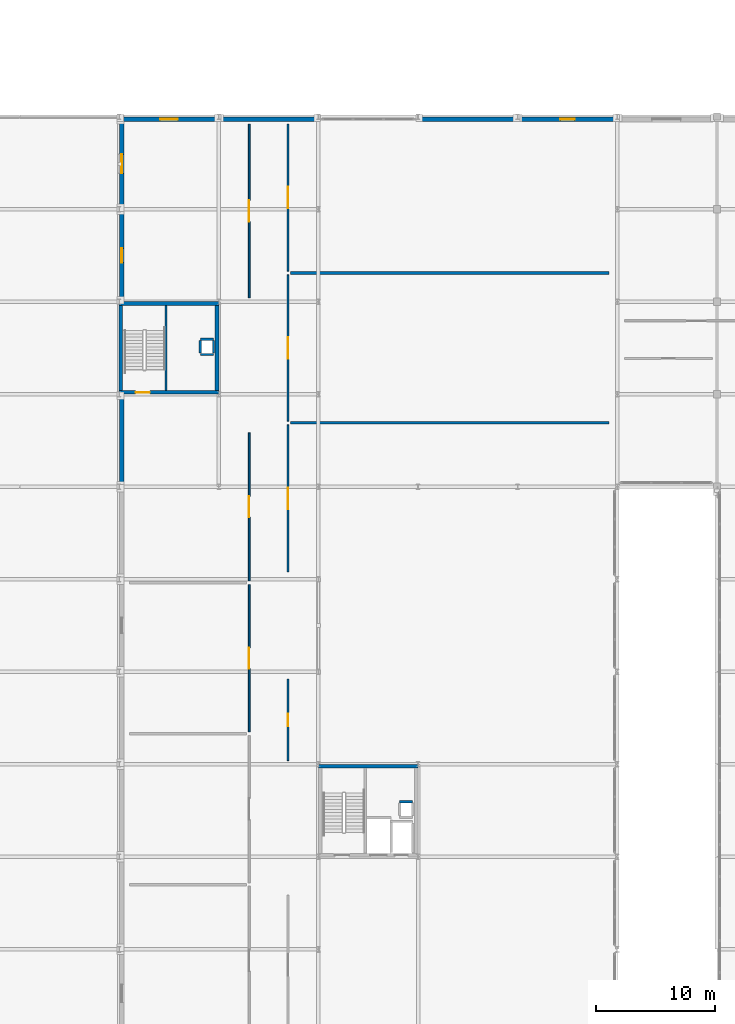
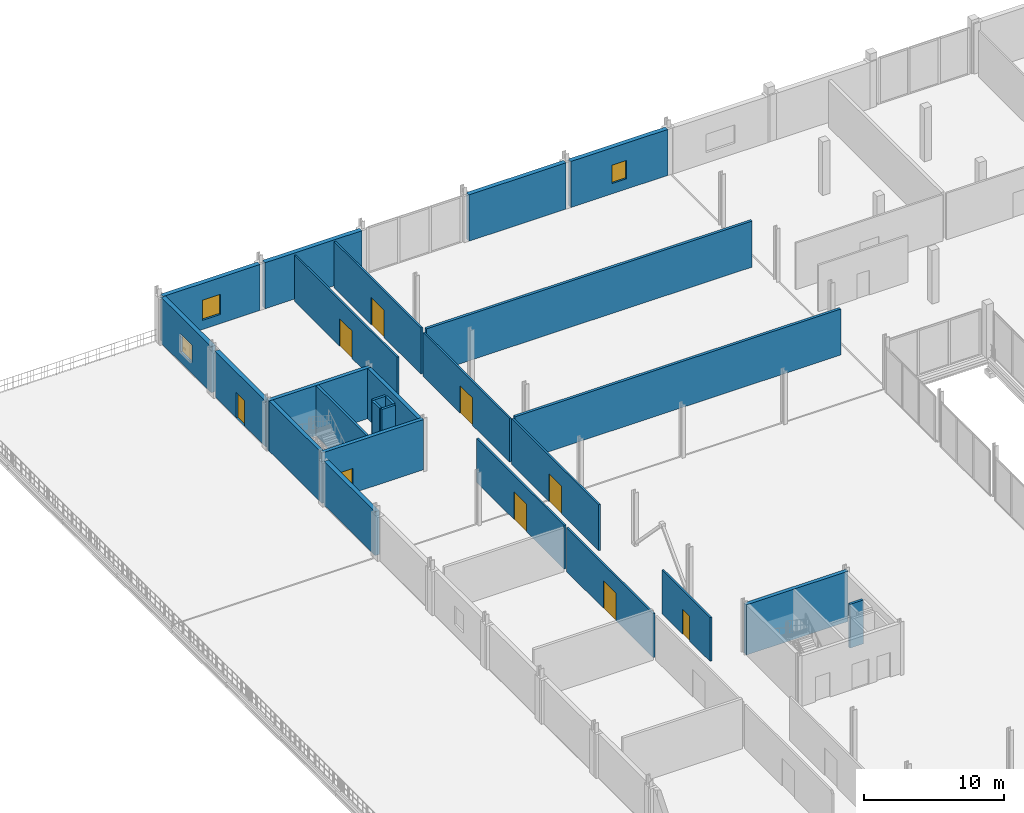
# One storey, part 70 of 98: 27 walls, 9 doors, 3 windows, 12 openings.
"""IFC4 building model written with IfcOpenShell, lengths in metres."""

from ifc_helpers import new_model, si_unit, direction, frame, frame_2d, origin, place, context, subcontext, project, spatial, rectangle, extrude, material, layer, layer_set, type_object, element, fill, save


model = new_model("IFC4")

# Units and contexts
model_context = context("Model", 3, precision=1e-05, world=origin(), true_north=direction((0.0, 1.0)))
body_context = subcontext(model_context, "Body", "Model", "MODEL_VIEW")
ifc_project = project(units=[si_unit("LENGTHUNIT", "METRE"), si_unit("AREAUNIT", "SQUARE_METRE"), si_unit("VOLUMEUNIT", "CUBIC_METRE"), si_unit("PLANEANGLEUNIT", "RADIAN"), si_unit("MASSUNIT", "GRAM", prefix="KILO")], contexts=[model_context])

# Site, building, storey
site_placement = place(None, origin())
site = spatial("IfcSite", under=ifc_project, at=site_placement, CompositionType="ELEMENT")
building_placement = place(site_placement, origin())
building = spatial("IfcBuilding", under=site, at=building_placement, Name="Nabrawat Pavilion Hospital", CompositionType="ELEMENT")
storey_placement = place(building_placement, frame((0.0, 0.0, 10.199951171875)))
storey = spatial("IfcBuildingStorey", under=building, at=storey_placement, Name="L02", CompositionType="ELEMENT", Elevation=10.199951171875)

# Wall, opening, door
ifc_material_1 = material(Name="Gypsum Fireboard on Steel Stud", Category="steel")
ifc_layer_1 = layer(ifc_material_1, 0.14990234375, Name="Gypsum Fireboard on Steel Stud")
ifc_layer_set_1 = layer_set([ifc_layer_1], Name="Gypsum Fireboard on Steel Stud")
wall_type_1 = type_object("IfcWallType", Name="Clinical Corridor Smoke-Barrier Wall 150", PredefinedType="PARTITIONING", material=ifc_layer_set_1)
wall_1_placement = place(storey_placement, frame((27.760009765625, 65.14501953125, 0.0), z_axis=(0.0, 0.0, 1.0), x_axis=(0.0, 1.0, 0.0)))
wall_1 = element("IfcWall", 1, at=wall_1_placement, inside=storey, type_object=wall_type_1, Name="L02 Operating Theatre 9 ENT Head and Neck L02-03 Front Partition", PredefinedType="PARTITIONING", context=body_context, shape_type="SweptSolid", body=[
    extrude(rectangle(XDim=12.402587890625, YDim=0.14990234375, at=frame_2d((6.201171875, 0.0))), origin(), (0.0, 0.0, 1.0), 3.820068359375),
])
opening_1_placement = place(wall_1_placement, frame((5.30126953125, 0.0, 0.0)))
opening_1 = element("IfcOpeningElement", 2, at=opening_1_placement, cuts=wall_1, Name="Opening D-OR", PredefinedType="OPENING", context=body_context, shape_type="SweptSolid", body=[
    extrude(rectangle(XDim=1.800048828125, YDim=2.39990234375, at=frame_2d((0.89990234375, 1.199951171875))), frame((0.0, 0.0849609375, 0.0), z_axis=(0.0, -1.0, 0.0), x_axis=(1.0, 0.0, 0.0)), (0.0, 0.0, 1.0), 0.169921875),
])
ifc_material_2 = material(Name="Stainless-Clad Acoustic Timber and Vision Glass", Category="wood")
door_type_1 = type_object("IfcDoorType", Name="D-OR Hermetic Operating Theatre Automatic Door 1800x2400", OperationType="DOUBLE_DOOR_SLIDING", PredefinedType="DOOR", material=ifc_material_2)
door_1_placement = place(opening_1_placement, origin())
door_1 = element("IfcDoor", 3, at=door_1_placement, inside=storey, type_object=door_type_1, Name="Operating Theatre 9 ENT Head and Neck L02-03 Door", OperationType="DOUBLE_DOOR_SLIDING", OverallHeight=2.39990234375, OverallWidth=1.800048828125, PredefinedType="DOOR", context=body_context, shape_type="SweptSolid", body=[
    extrude(rectangle(XDim=1.800048828125, YDim=2.39990234375, at=frame_2d((0.89990234375, 1.199951171875))), frame((0.0, 0.02490234375, 0.0), z_axis=(0.0, -1.0, 0.0), x_axis=(1.0, 0.0, 0.0)), (0.0, 0.0, 1.0), 0.050048828125),
])
fill(opening_1, door_1)

wall_2_placement = place(storey_placement, frame((27.760009765625, 77.867431640625, 0.0), z_axis=(0.0, 0.0, 1.0), x_axis=(0.0, 1.0, 0.0)))
wall_2 = element("IfcWall", 4, at=wall_2_placement, inside=storey, type_object=wall_type_1, Name="L02 Operating Theatre 10 Thoracic L02-04 Front Partition", PredefinedType="PARTITIONING", context=body_context, shape_type="SweptSolid", body=[
    extrude(rectangle(XDim=12.482666015625, YDim=0.14990234375, at=frame_2d((6.2412109375, 0.0))), origin(), (0.0, 0.0, 1.0), 3.820068359375),
])
opening_2_placement = place(wall_2_placement, frame((5.34130859375, 0.0, 0.0)))
opening_2 = element("IfcOpeningElement", 5, at=opening_2_placement, cuts=wall_2, Name="Opening D-OR", PredefinedType="OPENING", context=body_context, shape_type="SweptSolid", body=[
    extrude(rectangle(XDim=1.800048828125, YDim=2.39990234375, at=frame_2d((0.89990234375, 1.199951171875))), frame((0.0, 0.0849609375, 0.0), z_axis=(0.0, -1.0, 0.0), x_axis=(1.0, 0.0, 0.0)), (0.0, 0.0, 1.0), 0.169921875),
])
door_2_placement = place(opening_2_placement, origin())
door_2 = element("IfcDoor", 6, at=door_2_placement, inside=storey, type_object=door_type_1, Name="Operating Theatre 10 Thoracic L02-04 Door", OperationType="DOUBLE_DOOR_SLIDING", OverallHeight=2.39990234375, OverallWidth=1.800048828125, PredefinedType="DOOR", context=body_context, shape_type="SweptSolid", body=[
    extrude(rectangle(XDim=1.800048828125, YDim=2.39990234375, at=frame_2d((0.89990234375, 1.199951171875))), frame((0.0, 0.02490234375, 0.0), z_axis=(0.0, -1.0, 0.0), x_axis=(1.0, 0.0, 0.0)), (0.0, 0.0, 1.0), 0.050048828125),
])
fill(opening_2, door_2)

wall_3_placement = place(storey_placement, frame((27.760009765625, 101.719970703125, 0.0), z_axis=(0.0, 0.0, 1.0), x_axis=(0.0, 1.0, 0.0)))
wall_3 = element("IfcWall", 7, at=wall_3_placement, inside=storey, type_object=wall_type_1, Name="L02 Operating Theatre 11 Paediatric Surgery L02-05 Front Partition", PredefinedType="PARTITIONING", context=body_context, shape_type="SweptSolid", body=[
    extrude(rectangle(XDim=14.659912109375, YDim=0.14990234375, at=frame_2d((7.330078125, 0.0))), origin(), (0.0, 0.0, 1.0), 4.0),
])
opening_3_placement = place(wall_3_placement, frame((6.429931640625, 0.0, 0.0)))
opening_3 = element("IfcOpeningElement", 8, at=opening_3_placement, cuts=wall_3, Name="Opening D-OR", PredefinedType="OPENING", context=body_context, shape_type="SweptSolid", body=[
    extrude(rectangle(XDim=1.800048828125, YDim=2.39990234375, at=frame_2d((0.89990234375, 1.199951171875))), frame((0.0, 0.0849609375, 0.0), z_axis=(0.0, -1.0, 0.0), x_axis=(1.0, 0.0, 0.0)), (0.0, 0.0, 1.0), 0.169921875),
])
door_3_placement = place(opening_3_placement, origin())
door_3 = element("IfcDoor", 9, at=door_3_placement, inside=storey, type_object=door_type_1, Name="Operating Theatre 11 Paediatric Surgery L02-05 Door", OperationType="DOUBLE_DOOR_SLIDING", OverallHeight=2.39990234375, OverallWidth=1.800048828125, PredefinedType="DOOR", context=body_context, shape_type="SweptSolid", body=[
    extrude(rectangle(XDim=1.800048828125, YDim=2.39990234375, at=frame_2d((0.89990234375, 1.199951171875))), frame((0.0, 0.02490234375, 0.0), z_axis=(0.0, -1.0, 0.0), x_axis=(1.0, 0.0, 0.0)), (0.0, 0.0, 1.0), 0.050048828125),
])
fill(opening_3, door_3)

wall_4_placement = place(storey_placement, frame((31.0400390625, 62.719970703125, 0.0), z_axis=(0.0, 0.0, 1.0), x_axis=(0.0, 1.0, 0.0)))
wall_4 = element("IfcWall", 10, at=wall_4_placement, inside=storey, type_object=wall_type_1, Name="L02 Phase-II Day Surgery Recovery Bay L02-07 Front Partition", PredefinedType="PARTITIONING", context=body_context, shape_type="SweptSolid", body=[
    extrude(rectangle(XDim=6.860107421875, YDim=0.14990234375, at=frame_2d((3.43017578125, 0.0))), origin(), (0.0, 0.0, 1.0), 3.820068359375),
])
opening_4_placement = place(wall_4_placement, frame((2.905029296875, 0.0, 0.0)))
opening_4 = element("IfcOpeningElement", 11, at=opening_4_placement, cuts=wall_4, Name="Opening D-OPC-R", PredefinedType="OPENING", context=body_context, shape_type="SweptSolid", body=[
    extrude(rectangle(XDim=1.050048828125, YDim=2.14990234375, at=frame_2d((0.52490234375, 1.074951171875))), frame((0.0, 0.0849609375, 0.0), z_axis=(0.0, -1.0, 0.0), x_axis=(1.0, 0.0, 0.0)), (0.0, 0.0, 1.0), 0.169921875),
])
door_type_2 = type_object("IfcDoorType", Name="Outpatient Clinic Consultation Door R 1050x2150", OperationType="NOTDEFINED", PredefinedType="DOOR", material=ifc_material_2)
door_4_placement = place(opening_4_placement, origin())
door_4 = element("IfcDoor", 12, at=door_4_placement, inside=storey, type_object=door_type_2, Name="Phase-II Day Surgery Recovery Bay L02-07 Door", OperationType="SINGLE_SWING_LEFT", OverallHeight=2.14990234375, OverallWidth=1.050048828125, PredefinedType="DOOR", context=body_context, shape_type="SweptSolid", body=[
    extrude(rectangle(XDim=1.050048828125, YDim=2.14990234375, at=frame_2d((0.52490234375, 1.074951171875))), frame((0.0, 0.02490234375, 0.0), z_axis=(0.0, -1.0, 0.0), x_axis=(1.0, 0.0, 0.0)), (0.0, 0.0, 1.0), 0.050048828125),
])
fill(opening_4, door_4)

wall_5_placement = place(storey_placement, frame((31.0400390625, 78.6201171875, 0.0), z_axis=(0.0, 0.0, 1.0), x_axis=(0.0, 1.0, 0.0)))
wall_5 = element("IfcWall", 13, at=wall_5_placement, inside=storey, type_object=wall_type_1, Name="L02 Operating Theatre 7 Robotic Urology L02-08 Front Partition", PredefinedType="PARTITIONING", context=body_context, shape_type="SweptSolid", body=[
    extrude(rectangle(XDim=12.39990234375, YDim=0.14990234375, at=frame_2d((6.199951171875, 0.0))), origin(), (0.0, 0.0, 1.0), 4.0),
])
opening_5_placement = place(wall_5_placement, frame((5.300048828125, 0.0, 0.0)))
opening_5 = element("IfcOpeningElement", 14, at=opening_5_placement, cuts=wall_5, Name="Opening D-OR", PredefinedType="OPENING", context=body_context, shape_type="SweptSolid", body=[
    extrude(rectangle(XDim=1.800048828125, YDim=2.39990234375, at=frame_2d((0.89990234375, 1.199951171875))), frame((0.0, 0.0849609375, 0.0), z_axis=(0.0, -1.0, 0.0), x_axis=(1.0, 0.0, 0.0)), (0.0, 0.0, 1.0), 0.169921875),
])
door_5_placement = place(opening_5_placement, origin())
door_5 = element("IfcDoor", 15, at=door_5_placement, inside=storey, type_object=door_type_1, Name="Operating Theatre 7 Robotic Urology L02-08 Door", OperationType="DOUBLE_DOOR_SLIDING", OverallHeight=2.39990234375, OverallWidth=1.800048828125, PredefinedType="DOOR", context=body_context, shape_type="SweptSolid", body=[
    extrude(rectangle(XDim=1.800048828125, YDim=2.39990234375, at=frame_2d((0.89990234375, 1.199951171875))), frame((0.0, 0.02490234375, 0.0), z_axis=(0.0, -1.0, 0.0), x_axis=(1.0, 0.0, 0.0)), (0.0, 0.0, 1.0), 0.050048828125),
])
fill(opening_5, door_5)

wall_6_placement = place(storey_placement, frame((31.0400390625, 91.340087890625, 0.0), z_axis=(0.0, 0.0, 1.0), x_axis=(0.0, 1.0, 0.0)))
wall_6 = element("IfcWall", 16, at=wall_6_placement, inside=storey, type_object=wall_type_1, Name="L02 Operating Theatre 8 Ophthalmic Microsurgery L02-09 Front Partition", PredefinedType="PARTITIONING", context=body_context, shape_type="SweptSolid", body=[
    extrude(rectangle(XDim=12.31982421875, YDim=0.14990234375, at=frame_2d((6.159912109375, 0.0))), origin(), (0.0, 0.0, 1.0), 3.820068359375),
])
opening_6_placement = place(wall_6_placement, frame((5.260009765625, 0.0, 0.0)))
opening_6 = element("IfcOpeningElement", 17, at=opening_6_placement, cuts=wall_6, Name="Opening D-OR", PredefinedType="OPENING", context=body_context, shape_type="SweptSolid", body=[
    extrude(rectangle(XDim=1.800048828125, YDim=2.39990234375, at=frame_2d((0.89990234375, 1.199951171875))), frame((0.0, 0.0849609375, 0.0), z_axis=(0.0, -1.0, 0.0), x_axis=(1.0, 0.0, 0.0)), (0.0, 0.0, 1.0), 0.169921875),
])
door_6_placement = place(opening_6_placement, origin())
door_6 = element("IfcDoor", 18, at=door_6_placement, inside=storey, type_object=door_type_1, Name="Operating Theatre 8 Ophthalmic Microsurgery L02-09 Door", OperationType="DOUBLE_DOOR_SLIDING", OverallHeight=2.39990234375, OverallWidth=1.800048828125, PredefinedType="DOOR", context=body_context, shape_type="SweptSolid", body=[
    extrude(rectangle(XDim=1.800048828125, YDim=2.39990234375, at=frame_2d((0.89990234375, 1.199951171875))), frame((0.0, 0.02490234375, 0.0), z_axis=(0.0, -1.0, 0.0), x_axis=(1.0, 0.0, 0.0)), (0.0, 0.0, 1.0), 0.050048828125),
])
fill(opening_6, door_6)

wall_7_placement = place(storey_placement, frame((31.0400390625, 103.97998046875, 0.0), z_axis=(0.0, 0.0, 1.0), x_axis=(0.0, 1.0, 0.0)))
wall_7 = element("IfcWall", 19, at=wall_7_placement, inside=storey, type_object=wall_type_1, Name="L02 Operating Theatre 9 ENT Head and Neck L02-10 Front Partition", PredefinedType="PARTITIONING", context=body_context, shape_type="SweptSolid", body=[
    extrude(rectangle(XDim=12.39990234375, YDim=0.14990234375, at=frame_2d((6.199951171875, 0.0))), origin(), (0.0, 0.0, 1.0), 4.0400390625),
])
opening_7_placement = place(wall_7_placement, frame((5.300048828125, 0.0, 0.0)))
opening_7 = element("IfcOpeningElement", 20, at=opening_7_placement, cuts=wall_7, Name="Opening D-OR", PredefinedType="OPENING", context=body_context, shape_type="SweptSolid", body=[
    extrude(rectangle(XDim=1.800048828125, YDim=2.39990234375, at=frame_2d((0.89990234375, 1.199951171875))), frame((0.0, 0.0849609375, 0.0), z_axis=(0.0, -1.0, 0.0), x_axis=(1.0, 0.0, 0.0)), (0.0, 0.0, 1.0), 0.169921875),
])
door_7_placement = place(opening_7_placement, origin())
door_7 = element("IfcDoor", 21, at=door_7_placement, inside=storey, type_object=door_type_1, Name="Operating Theatre 9 ENT Head and Neck L02-10 Door", OperationType="DOUBLE_DOOR_SLIDING", OverallHeight=2.39990234375, OverallWidth=1.800048828125, PredefinedType="DOOR", context=body_context, shape_type="SweptSolid", body=[
    extrude(rectangle(XDim=1.800048828125, YDim=2.39990234375, at=frame_2d((0.89990234375, 1.199951171875))), frame((0.0, 0.02490234375, 0.0), z_axis=(0.0, -1.0, 0.0), x_axis=(1.0, 0.0, 0.0)), (0.0, 0.0, 1.0), 0.050048828125),
])
fill(opening_7, door_7)

# Walls
ifc_material_3 = material(Name="Concrete C35/45", Category="concrete")
ifc_layer_2 = layer(ifc_material_3, 0.199951171875, Name="Concrete C35/45")
ifc_layer_set_2 = layer_set([ifc_layer_2], Name="Concrete C35/45")
wall_type_2 = type_object("IfcWallType", Name="Lift and Riser Fire Shaft Wall 200", PredefinedType="PARTITIONING", material=ifc_layer_set_2)
wall_8_placement = place(storey_placement, frame((40.449951171875, 59.25, 0.0), z_axis=(0.0, 0.0, 1.0), x_axis=(1.0, 0.0, 0.0)))
element("IfcWall", 22, at=wall_8_placement, inside=storey, type_object=wall_type_2, Name="L02 CORE-2 MEP Riser Shaft Wall N", PredefinedType="PARTITIONING", context=body_context, shape_type="SweptSolid", body=[
    extrude(rectangle(XDim=1.10009765625, YDim=0.199951171875, at=frame_2d((0.550048828125, 0.0))), origin(), (0.0, 0.0, 1.0), 3.820068359375),
])
wall_9_placement = place(storey_placement, frame((20.75, 93.919921875, 0.0), z_axis=(0.0, 0.0, 1.0), x_axis=(0.0, 1.0, 0.0)))
element("IfcWall", 23, at=wall_9_placement, inside=storey, type_object=wall_type_2, Name="L02 CORE-7 Stair-Lift Dividing Shear Wall", PredefinedType="SHEAR", context=body_context, shape_type="SweptSolid", body=[
    extrude(rectangle(XDim=7.16015625, YDim=0.199951171875, at=frame_2d((3.580078125, 0.0))), origin(), (0.0, 0.0, 1.0), 4.380126953125),
])
for number, where, z_axis, x_axis, name in (
    (24, (23.64990234375, 96.949951171875, 0.0), (0.0, 0.0, 1.0), (1.0, 0.0, 0.0), "L02 CORE-7 MEP Riser Shaft Wall S"),
    (25, (23.64990234375, 98.25, 0.0), (0.0, 0.0, 1.0), (1.0, 0.0, 0.0), "L02 CORE-7 MEP Riser Shaft Wall N"),
):
    element("IfcWall", number, at=place(storey_placement, frame(where, z_axis=z_axis, x_axis=x_axis)), inside=storey, type_object=wall_type_2, Name=name, PredefinedType="PARTITIONING", context=body_context, shape_type="SweptSolid", body=[
        extrude(rectangle(XDim=1.10009765625, YDim=0.199951171875, at=frame_2d((0.550048828125, 0.0))), origin(), (0.0, 0.0, 1.0), 3.820068359375),
    ])
for number, where, z_axis, x_axis, name in (
    (26, (23.64990234375, 97.070068359375, 0.0), (0.0, 0.0, 1.0), (0.0, 1.0, 0.0), "L02 CORE-7 MEP Riser Shaft Wall W"),
    (27, (24.75, 97.070068359375, 0.0), (0.0, 0.0, 1.0), (0.0, 1.0, 0.0), "L02 CORE-7 MEP Riser Shaft Wall E"),
):
    element("IfcWall", number, at=place(storey_placement, frame(where, z_axis=z_axis, x_axis=x_axis)), inside=storey, type_object=wall_type_2, Name=name, PredefinedType="PARTITIONING", context=body_context, shape_type="SweptSolid", body=[
        extrude(rectangle(XDim=1.059814453125, YDim=0.199951171875, at=frame_2d((0.52978515625, 0.0))), origin(), (0.0, 0.0, 1.0), 3.820068359375),
    ])
ifc_material_4 = material(Name="Concrete C40/50", Category="concrete")
ifc_layer_3 = layer(ifc_material_4, 0.300048828125, Name="Concrete C40/50")
ifc_layer_set_3 = layer_set([ifc_layer_3], Name="Concrete C40/50")
wall_type_3 = type_object("IfcWallType", Name="Reinforced Concrete Core Shear Wall 300", PredefinedType="SHEAR", material=ifc_layer_set_3)
wall_10_placement = place(storey_placement, frame((33.60009765625, 62.25, 0.0), z_axis=(0.0, 0.0, 1.0), x_axis=(1.0, 0.0, 0.0)))
element("IfcWall", 28, at=wall_10_placement, inside=storey, type_object=wall_type_3, Name="L02 CORE-2 North Core Shear Wall", PredefinedType="SHEAR", context=body_context, shape_type="SweptSolid", body=[
    extrude(rectangle(XDim=8.39990234375, YDim=0.300048828125, at=frame_2d((4.199951171875, 0.0))), origin(), (0.0, 0.0, 1.0), 4.380126953125),
])

# Wall, opening, door
wall_11_placement = place(storey_placement, frame((16.800048828125, 93.75, 0.0), z_axis=(0.0, 0.0, 1.0), x_axis=(1.0, 0.0, 0.0)))
wall_11 = element("IfcWall", 29, at=wall_11_placement, inside=storey, type_object=wall_type_3, Name="L02 CORE-7 South Core Shear Wall", PredefinedType="SHEAR", context=body_context, shape_type="SweptSolid", body=[
    extrude(rectangle(XDim=8.39990234375, YDim=0.300048828125, at=frame_2d((4.199951171875, 0.0))), origin(), (0.0, 0.0, 1.0), 4.380126953125),
])
opening_8_placement = place(wall_11_placement, frame((1.3798828125, 0.0, 0.0)))
opening_8 = element("IfcOpeningElement", 30, at=opening_8_placement, cuts=wall_11, Name="Opening D-STAIR", PredefinedType="OPENING", context=body_context, shape_type="SweptSolid", body=[
    extrude(rectangle(XDim=1.199951171875, YDim=2.14990234375, at=frame_2d((0.60009765625, 1.074951171875))), frame((0.0, 0.16015625, 0.0), z_axis=(0.0, -1.0, 0.0), x_axis=(1.0, 0.0, 0.0)), (0.0, 0.0, 1.0), 0.320068359375),
])
door_type_3 = type_object("IfcDoorType", Name="D-STAIR Exit Stair Fire Door 1200x2150", OperationType="NOTDEFINED", PredefinedType="DOOR", material=ifc_material_2)
door_8_placement = place(opening_8_placement, origin())
door_8 = element("IfcDoor", 31, at=door_8_placement, inside=storey, type_object=door_type_3, Name="L02 ST-07 Fire Exit Stair Door", OperationType="SINGLE_SWING_RIGHT", OverallHeight=2.14990234375, OverallWidth=1.199951171875, PredefinedType="DOOR", context=body_context, shape_type="SweptSolid", body=[
    extrude(rectangle(XDim=1.199951171875, YDim=2.14990234375, at=frame_2d((0.60009765625, 1.074951171875))), frame((0.0, 0.02490234375, 0.0), z_axis=(0.0, -1.0, 0.0), x_axis=(1.0, 0.0, 0.0)), (0.0, 0.0, 1.0), 0.050048828125),
])
fill(opening_8, door_8)

# Walls
wall_12_placement = place(storey_placement, frame((16.800048828125, 101.25, 0.0), z_axis=(0.0, 0.0, 1.0), x_axis=(1.0, 0.0, 0.0)))
element("IfcWall", 32, at=wall_12_placement, inside=storey, type_object=wall_type_3, Name="L02 CORE-7 North Core Shear Wall", PredefinedType="SHEAR", context=body_context, shape_type="SweptSolid", body=[
    extrude(rectangle(XDim=8.39990234375, YDim=0.300048828125, at=frame_2d((4.199951171875, 0.0))), origin(), (0.0, 0.0, 1.0), 4.380126953125),
])
for number, where, z_axis, x_axis, name in (
    (33, (16.949951171875, 93.89990234375, 0.0), (0.0, 0.0, 1.0), (0.0, 1.0, 0.0), "L02 CORE-7 West Core Shear Wall"),
    (34, (25.050048828125, 93.89990234375, 0.0), (0.0, 0.0, 1.0), (0.0, 1.0, 0.0), "L02 CORE-7 East Core Shear Wall"),
):
    element("IfcWall", number, at=place(storey_placement, frame(where, z_axis=z_axis, x_axis=x_axis)), inside=storey, type_object=wall_type_3, Name=name, PredefinedType="SHEAR", context=body_context, shape_type="SweptSolid", body=[
        extrude(rectangle(XDim=7.2001953125, YDim=0.300048828125, at=frame_2d((3.60009765625, 0.0))), origin(), (0.0, 0.0, 1.0), 4.380126953125),
    ])
ifc_material_5 = material(Name="Precast concrete C40/50", Category="concrete")
ifc_layer_4 = layer(ifc_material_5, 0.360107421875, Name="Precast concrete C40/50")
ifc_layer_set_4 = layer_set([ifc_layer_4], Name="Precast concrete C40/50")
wall_type_4 = type_object("IfcWallType", Name="Surgical Acoustic Precast Facade Wall 360", PredefinedType="SOLIDWALL", material=ifc_layer_set_4)
wall_13_placement = place(storey_placement, frame((17.02001953125, 86.074951171875, 0.0), z_axis=(0.0, 0.0, 1.0), x_axis=(0.0, 1.0, 0.0)))
element("IfcWall", 35, at=wall_13_placement, inside=storey, type_object=wall_type_4, Name="L02 Surgical Acoustic Precast Facade Wall 360 253", PredefinedType="SOLIDWALL", context=body_context, shape_type="SweptSolid", body=[
    extrude(rectangle(XDim=7.25, YDim=0.360107421875, at=frame_2d((3.625, 0.0))), origin(), (0.0, 0.0, 1.0), 3.820068359375),
])

# Wall, opening, door
wall_14_placement = place(storey_placement, frame((17.02001953125, 101.675048828125, 0.0), z_axis=(0.0, 0.0, 1.0), x_axis=(0.0, 1.0, 0.0)))
wall_14 = element("IfcWall", 36, at=wall_14_placement, inside=storey, type_object=wall_type_4, Name="L02 Surgical Acoustic Precast Facade Wall 360 254", PredefinedType="SOLIDWALL", context=body_context, shape_type="SweptSolid", body=[
    extrude(rectangle(XDim=7.25, YDim=0.360107421875, at=frame_2d((3.625, 0.0))), origin(), (0.0, 0.0, 1.0), 3.969970703125),
])
opening_9_placement = place(wall_14_placement, frame((3.02490234375, 0.0, 0.0)))
opening_9 = element("IfcOpeningElement", 37, at=opening_9_placement, cuts=wall_14, Name="Opening ED-TER-120", PredefinedType="OPENING", context=body_context, shape_type="SweptSolid", body=[
    extrude(rectangle(XDim=1.199951171875, YDim=2.199951171875, at=frame_2d((0.60009765625, 1.10009765625))), frame((0.0, 0.18994140625, 0.0), z_axis=(0.0, -1.0, 0.0), x_axis=(1.0, 0.0, 0.0)), (0.0, 0.0, 1.0), 0.380126953125),
])
ifc_material_6 = material(Name="Powder-Coated Galvanised Steel and Safety Glass", Category="steel")
door_type_4 = type_object("IfcDoorType", Name="Ward Balcony Single Glazed Door 1200x2200", OperationType="NOTDEFINED", PredefinedType="DOOR", material=ifc_material_6)
door_9_placement = place(opening_9_placement, origin())
door_9 = element("IfcDoor", 38, at=door_9_placement, inside=storey, type_object=door_type_4, Name="L02 Clinical Recovery Terrace Door T_L02_SURG_WEST_N", OperationType="SINGLE_SWING_LEFT", OverallHeight=2.199951171875, OverallWidth=1.199951171875, PredefinedType="DOOR", context=body_context, shape_type="SweptSolid", body=[
    extrude(rectangle(XDim=1.199951171875, YDim=2.199951171875, at=frame_2d((0.60009765625, 1.10009765625))), frame((0.0, 0.02490234375, 0.0), z_axis=(0.0, -1.0, 0.0), x_axis=(1.0, 0.0, 0.0)), (0.0, 0.0, 1.0), 0.050048828125),
])
fill(opening_9, door_9)

# Wall, opening, window
wall_15_placement = place(storey_placement, frame((17.02001953125, 109.47509765625, 0.0), z_axis=(0.0, 0.0, 1.0), x_axis=(0.0, 1.0, 0.0)))
wall_15 = element("IfcWall", 39, at=wall_15_placement, inside=storey, type_object=wall_type_4, Name="L02 Surgical Acoustic Precast Facade Wall 360 255", PredefinedType="SOLIDWALL", context=body_context, shape_type="SweptSolid", body=[
    extrude(rectangle(XDim=7.0849609375, YDim=0.360107421875, at=frame_2d((3.54248046875, 0.0))), origin(), (0.0, 0.0, 1.0), 4.010009765625),
])
opening_10_placement = place(wall_15_placement, frame((2.742431640625, 0.0, 0.949951171875)))
opening_10 = element("IfcOpeningElement", 40, at=opening_10_placement, cuts=wall_15, Name="Opening WN-31", PredefinedType="OPENING", context=body_context, shape_type="SweptSolid", body=[
    extrude(rectangle(XDim=1.60009765625, YDim=1.550048828125, at=frame_2d((0.800048828125, 0.77490234375))), frame((0.0, 0.18994140625, 0.0), z_axis=(0.0, -1.0, 0.0), x_axis=(1.0, 0.0, 0.0)), (0.0, 0.0, 1.0), 0.380126953125),
])
ifc_material_7 = material(Name="Thermally Broken Aluminium and Solar Glass", Category="aluminium")
window_type_1 = type_object("IfcWindowType", Name="Dental Clinic Window 1600x1550", PartitioningType="SINGLE_PANEL", PredefinedType="WINDOW", material=ifc_material_7)
window_1_placement = place(opening_10_placement, origin())
window_1 = element("IfcWindow", 41, at=window_1_placement, inside=storey, type_object=window_type_1, Name="L02 Dental Clinic Window 1600x1550 095", OverallHeight=1.550048828125, OverallWidth=1.60009765625, PartitioningType="SINGLE_PANEL", PredefinedType="WINDOW", context=body_context, shape_type="SweptSolid", body=[
    extrude(rectangle(XDim=1.60009765625, YDim=1.550048828125, at=frame_2d((0.800048828125, 0.77490234375))), frame((0.0, 0.030029296875, 0.0), z_axis=(0.0, -1.0, 0.0), x_axis=(1.0, 0.0, 0.0)), (0.0, 0.0, 1.0), 0.06005859375),
])
fill(opening_10, window_1)

wall_16_placement = place(storey_placement, frame((17.0, 116.780029296875, 0.0), z_axis=(0.0, 0.0, 1.0), x_axis=(1.0, 0.0, 0.0)))
wall_16 = element("IfcWall", 42, at=wall_16_placement, inside=storey, type_object=wall_type_4, Name="L02 Surgical Acoustic Precast Facade Wall 360 256", PredefinedType="SOLIDWALL", context=body_context, shape_type="SweptSolid", body=[
    extrude(rectangle(XDim=8.0, YDim=0.360107421875, at=frame_2d((4.0, 0.0))), origin(), (0.0, 0.0, 1.0), 4.010009765625),
])
opening_11_placement = place(wall_16_placement, frame((3.25, 0.0, 0.800048828125)))
opening_11 = element("IfcOpeningElement", 43, at=opening_11_placement, cuts=wall_16, Name="Opening WN-32", PredefinedType="OPENING", context=body_context, shape_type="SweptSolid", body=[
    extrude(rectangle(XDim=1.5, YDim=1.75, at=frame_2d((0.75, 0.875))), frame((0.0, 0.18994140625, 0.0), z_axis=(0.0, -1.0, 0.0), x_axis=(1.0, 0.0, 0.0)), (0.0, 0.0, 1.0), 0.380126953125),
])
window_type_2 = type_object("IfcWindowType", Name="Respiratory Isolation Window 1500x1750", PartitioningType="SINGLE_PANEL", PredefinedType="WINDOW", material=ifc_material_7)
window_2_placement = place(opening_11_placement, origin())
window_2 = element("IfcWindow", 44, at=window_2_placement, inside=storey, type_object=window_type_2, Name="L02 Respiratory Isolation Window 1500x1750 096", OverallHeight=1.75, OverallWidth=1.5, PartitioningType="SINGLE_PANEL", PredefinedType="WINDOW", context=body_context, shape_type="SweptSolid", body=[
    extrude(rectangle(XDim=1.5, YDim=1.75, at=frame_2d((0.75, 0.875))), frame((0.0, 0.030029296875, 0.0), z_axis=(0.0, -1.0, 0.0), x_axis=(1.0, 0.0, 0.0)), (0.0, 0.0, 1.0), 0.06005859375),
])
fill(opening_11, window_2)

# Walls
wall_17_placement = place(storey_placement, frame((25.39990234375, 116.780029296875, 0.0), z_axis=(0.0, 0.0, 1.0), x_axis=(1.0, 0.0, 0.0)))
element("IfcWall", 45, at=wall_17_placement, inside=storey, type_object=wall_type_4, Name="L02 Surgical Acoustic Precast Facade Wall 360 257", PredefinedType="SOLIDWALL", context=body_context, shape_type="SweptSolid", body=[
    extrude(rectangle(XDim=8.0, YDim=0.360107421875, at=frame_2d((4.0, 0.0))), origin(), (0.0, 0.0, 1.0), 4.010009765625),
])
wall_18_placement = place(storey_placement, frame((42.199951171875, 116.780029296875, 0.0), z_axis=(0.0, 0.0, 1.0), x_axis=(1.0, 0.0, 0.0)))
element("IfcWall", 46, at=wall_18_placement, inside=storey, type_object=wall_type_4, Name="L02 Surgical Acoustic Precast Facade Wall 360 258", PredefinedType="SOLIDWALL", context=body_context, shape_type="SweptSolid", body=[
    extrude(rectangle(XDim=8.0, YDim=0.360107421875, at=frame_2d((4.0, 0.0))), origin(), (0.0, 0.0, 1.0), 4.0400390625),
])

# Wall, opening, window
wall_19_placement = place(storey_placement, frame((50.60009765625, 116.780029296875, 0.0), z_axis=(0.0, 0.0, 1.0), x_axis=(1.0, 0.0, 0.0)))
wall_19 = element("IfcWall", 47, at=wall_19_placement, inside=storey, type_object=wall_type_4, Name="L02 Surgical Acoustic Precast Facade Wall 360 259", PredefinedType="SOLIDWALL", context=body_context, shape_type="SweptSolid", body=[
    extrude(rectangle(XDim=8.0, YDim=0.360107421875, at=frame_2d((4.0, 0.0))), origin(), (0.0, 0.0, 1.0), 4.010009765625),
])
opening_12_placement = place(wall_19_placement, frame((3.39990234375, 0.0, 0.89990234375)))
opening_12 = element("IfcOpeningElement", 48, at=opening_12_placement, cuts=wall_19, Name="Opening WN-01", PredefinedType="OPENING", context=body_context, shape_type="SweptSolid", body=[
    extrude(rectangle(XDim=1.199951171875, YDim=1.60009765625, at=frame_2d((0.60009765625, 0.800048828125))), frame((0.0, 0.18994140625, 0.0), z_axis=(0.0, -1.0, 0.0), x_axis=(1.0, 0.0, 0.0)), (0.0, 0.0, 1.0), 0.380126953125),
])
window_type_3 = type_object("IfcWindowType", Name="Deep-Reveal Ward Punched Window 1200x1600", PartitioningType="SINGLE_PANEL", PredefinedType="WINDOW", material=ifc_material_7)
window_3_placement = place(opening_12_placement, origin())
window_3 = element("IfcWindow", 49, at=window_3_placement, inside=storey, type_object=window_type_3, Name="L02 Deep-Reveal Ward Punched Window 1200x1600 097", OverallHeight=1.60009765625, OverallWidth=1.199951171875, PartitioningType="SINGLE_PANEL", PredefinedType="WINDOW", context=body_context, shape_type="SweptSolid", body=[
    extrude(rectangle(XDim=1.199951171875, YDim=1.60009765625, at=frame_2d((0.60009765625, 0.800048828125))), frame((0.0, 0.030029296875, 0.0), z_axis=(0.0, -1.0, 0.0), x_axis=(1.0, 0.0, 0.0)), (0.0, 0.0, 1.0), 0.06005859375),
])
fill(opening_12, window_3)

# Walls
ifc_material_8 = material(Name="Hygienic Gypsum and Lead Core", Category="gypsum")
ifc_layer_5 = layer(ifc_material_8, 0.219970703125, Name="Hygienic Gypsum and Lead Core")
ifc_layer_set_5 = layer_set([ifc_layer_5], Name="Hygienic Gypsum and Lead Core")
wall_type_5 = type_object("IfcWallType", Name="Surgical Hygienic Lead-Shielded Wall 220", PredefinedType="PARTITIONING", material=ifc_layer_set_5)
for number, where, z_axis, x_axis, name in (
    (50, (31.260009765625, 91.179931640625, 0.0), (0.0, 0.0, 1.0), (1.0, 0.0, 0.0), "L02 Operating Theatre 7 Robotic Urology L02-08 Dividing Partition"),
    (51, (31.260009765625, 103.820068359375, 0.0), (0.0, 0.0, 1.0), (1.0, 0.0, 0.0), "L02 Operating Theatre 8 Ophthalmic Microsurgery L02-09 Dividing Partition"),
):
    element("IfcWall", number, at=place(storey_placement, frame(where, z_axis=z_axis, x_axis=x_axis)), inside=storey, type_object=wall_type_5, Name=name, PredefinedType="PARTITIONING", context=body_context, shape_type="SweptSolid", body=[
        extrude(rectangle(XDim=26.85009765625, YDim=0.219970703125, at=frame_2d((13.425048828125, 0.0))), origin(), (0.0, 0.0, 1.0), 4.010009765625),
    ])

save(model, "model.ifc")
